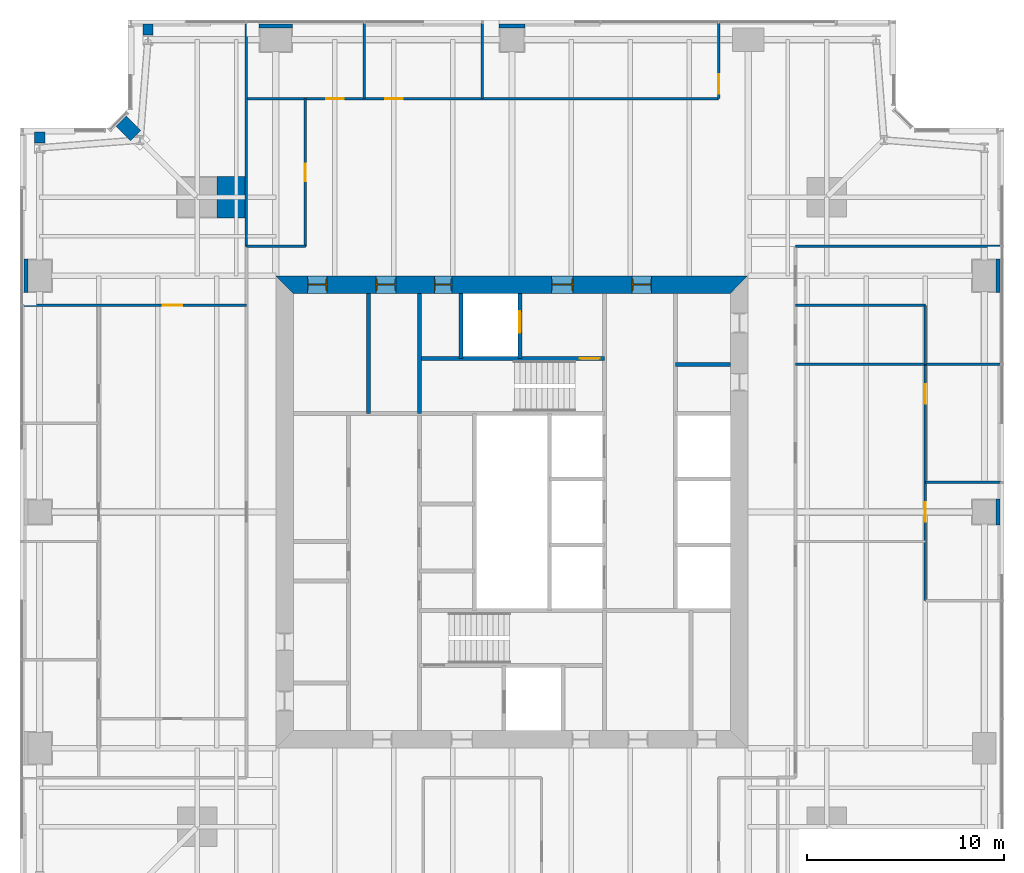
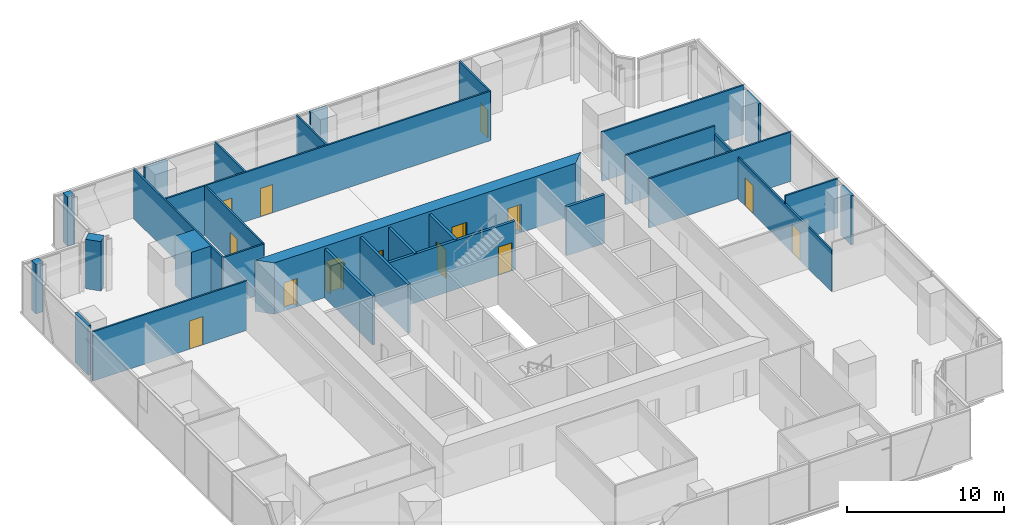
# One storey, part 11 of 16: 30 walls, 14 doors, 14 openings.
"""IFC4 building model written with IfcOpenShell, lengths in metres."""

from ifc_helpers import new_model, si_unit, direction, frame, frame_2d, origin, place, context, subcontext, project, spatial, polyline, rectangle, outline, extrude, material, layer, layer_set, type_object, element, fill, save


model = new_model("IFC4")

# Units and contexts
model_context = context("Model", 3, precision=1e-05, world=origin(), true_north=direction((0.0, 1.0)))
body_context = subcontext(model_context, "Body", "Model", "MODEL_VIEW")
ifc_project = project(units=[si_unit("LENGTHUNIT", "METRE"), si_unit("AREAUNIT", "SQUARE_METRE"), si_unit("VOLUMEUNIT", "CUBIC_METRE"), si_unit("PLANEANGLEUNIT", "RADIAN"), si_unit("MASSUNIT", "GRAM", prefix="KILO")], contexts=[model_context])

# Site, building, storey
site_placement = place(None, origin())
site = spatial("IfcSite", under=ifc_project, at=site_placement, CompositionType="ELEMENT")
building_placement = place(site_placement, origin())
building = spatial("IfcBuilding", under=site, at=building_placement, Name="Fenwick Lantern Interchange", CompositionType="ELEMENT")
storey_placement = place(building_placement, frame((0.0, 0.0, 181.800048828125)))
storey = spatial("IfcBuildingStorey", under=building, at=storey_placement, Name="L42", CompositionType="ELEMENT", Elevation=181.800048828125)

# Walls
ifc_material_1 = material(Name="Fire-rated gypsum board encasement on steel studs, 2 hour", Category="steel")
ifc_layer_1 = layer(ifc_material_1, 1.300048828125)
ifc_layer_set_1 = layer_set([ifc_layer_1], Name="COLUMN PIER 1300")
wall_type_1 = type_object("IfcWallType", Name="COLUMN PIER 1300", PredefinedType="PARTITIONING", material=ifc_layer_set_1)
for number, where, z_axis, x_axis, name in (
    (1, (49.800048828125, 25.0, 0.0), (0.0, 0.0, 1.0), (-1.0, 0.0, 0.0), "L42/W/PIER/CE3"),
    (2, (25.0, 49.800048828125, 0.0), (0.0, 0.0, 1.0), (0.0, -1.0, 0.0), "L42/W/PIER/CN3"),
):
    element("IfcWall", number, at=place(storey_placement, frame(where, z_axis=z_axis, x_axis=x_axis)), inside=storey, type_object=wall_type_1, Name=name, PredefinedType="PARTITIONING", context=body_context, shape_type="SweptSolid", body=[
        extrude(rectangle(XDim=0.199951171875, YDim=1.300048828125, at=frame_2d((0.10009765625, 0.0))), origin(), (0.0, 0.0, 1.0), 3.849853515625),
    ])
ifc_layer_2 = layer(ifc_material_1, 1.699951171875)
ifc_layer_set_2 = layer_set([ifc_layer_2], Name="COLUMN PIER 1700")
wall_type_2 = type_object("IfcWallType", Name="COLUMN PIER 1700", PredefinedType="PARTITIONING", material=ifc_layer_set_2)
for number, where, z_axis, x_axis, name in (
    (3, (49.800048828125, 37.0, 0.0), (0.0, 0.0, 1.0), (-1.0, 0.0, 0.0), "L42/W/PIER/CE4"),
    (4, (13.0, 49.800048828125, 0.0), (0.0, 0.0, 1.0), (0.0, -1.0, 0.0), "L42/W/PIER/CN4"),
    (5, (0.199951171875, 37.0, 0.0), (0.0, 0.0, 1.0), (1.0, 0.0, 0.0), "L42/W/PIER/CW2"),
):
    element("IfcWall", number, at=place(storey_placement, frame(where, z_axis=z_axis, x_axis=x_axis)), inside=storey, type_object=wall_type_2, Name=name, PredefinedType="PARTITIONING", context=body_context, shape_type="SweptSolid", body=[
        extrude(rectangle(XDim=0.199951171875, YDim=1.699951171875, at=frame_2d((0.10009765625, 0.0))), origin(), (0.0, 0.0, 1.0), 3.849853515625),
    ])
ifc_layer_3 = layer(ifc_material_1, 2.10009765625)
ifc_layer_set_3 = layer_set([ifc_layer_3], Name="COLUMN PIER 2100")
wall_type_3 = type_object("IfcWallType", Name="COLUMN PIER 2100", PredefinedType="PARTITIONING", material=ifc_layer_set_3)
wall_1_placement = place(storey_placement, frame((11.4375, 41.0, 0.0), z_axis=(0.0, 0.0, 1.0), x_axis=(-1.0, 0.0, 0.0)))
element("IfcWall", 6, at=wall_1_placement, inside=storey, type_object=wall_type_3, Name="L42/W/PIER/M4", PredefinedType="PARTITIONING", context=body_context, shape_type="SweptSolid", body=[
    extrude(rectangle(XDim=1.4375, YDim=2.10009765625, at=frame_2d((0.71875, 0.0))), origin(), (0.0, 0.0, 1.0), 3.849853515625),
])
ifc_layer_4 = layer(ifc_material_1, 0.52392578125)
ifc_layer_set_4 = layer_set([ifc_layer_4], Name="COLUMN PIER 524")
wall_type_4 = type_object("IfcWallType", Name="COLUMN PIER 524", PredefinedType="PARTITIONING", material=ifc_layer_set_4)
for number, where, z_axis, x_axis, name in (
    (7, (6.5, 49.800048828125, 0.0), (0.0, 0.0, 1.0), (0.0, -1.0, 0.0), "L42/W/PIER/CN5"),
    (8, (1.0, 44.300048828125, 0.0), (0.0, 0.0, 1.0), (0.0, -1.0, 0.0), "L42/W/PIER/CW1"),
):
    element("IfcWall", number, at=place(storey_placement, frame(where, z_axis=z_axis, x_axis=x_axis)), inside=storey, type_object=wall_type_4, Name=name, PredefinedType="PARTITIONING", context=body_context, shape_type="SweptSolid", body=[
        extrude(rectangle(XDim=0.5625, YDim=0.52392578125, at=frame_2d((0.28125, 0.0))), origin(), (0.0, 0.0, 1.0), 3.849853515625),
    ])
ifc_layer_5 = layer(ifc_material_1, 0.736083984375)
ifc_layer_set_5 = layer_set([ifc_layer_5], Name="COLUMN PIER 736")
wall_type_5 = type_object("IfcWallType", Name="COLUMN PIER 736", PredefinedType="PARTITIONING", material=ifc_layer_set_5)
wall_2_placement = place(storey_placement, frame((5.141357421875, 44.858642578125, 0.0), z_axis=(0.0, 0.0, 1.0), x_axis=(0.707106781187, -0.707106781187, 0.0)))
element("IfcWall", 9, at=wall_2_placement, inside=storey, type_object=wall_type_5, Name="L42/W/PIER/CNR", PredefinedType="PARTITIONING", context=body_context, shape_type="SweptSolid", body=[
    extrude(rectangle(XDim=1.037841796875, YDim=0.736083984375, at=frame_2d((0.51904296875, 0.0))), origin(), (0.0, 0.0, 1.0), 3.849853515625),
])

# Wall, opening, door
ifc_material_2 = material(Name="Concrete masonry ASTM C90 Grade N", Category="masonry")
ifc_layer_6 = layer(ifc_material_2, 0.199951171875)
ifc_layer_set_6 = layer_set([ifc_layer_6], Name="Concrete masonry ASTM C90 Grade N")
wall_type_6 = type_object("IfcWallType", Name="CORE PARTITION 200", PredefinedType="PARTITIONING", material=ifc_layer_set_6)
wall_3_placement = place(storey_placement, frame((25.39990234375, 36.10009765625, 0.0), z_axis=(0.0, 0.0, 1.0), x_axis=(0.0, -1.0, 0.0)))
wall_3 = element("IfcWall", 10, at=wall_3_placement, inside=storey, type_object=wall_type_6, Name="L42/W/COREN/h1", PredefinedType="PARTITIONING", context=body_context, shape_type="SweptSolid", body=[
    extrude(rectangle(XDim=3.300048828125, YDim=0.199951171875, at=frame_2d((1.64990234375, 0.0))), origin(), (0.0, 0.0, 1.0), 3.800048828125),
])
opening_1_placement = place(wall_3_placement, frame((0.89990234375, 0.0, 0.0)))
opening_1 = element("IfcOpeningElement", 11, at=opening_1_placement, cuts=wall_3, Name="Opening LD-FL2", PredefinedType="OPENING", context=body_context, shape_type="SweptSolid", body=[
    extrude(rectangle(XDim=1.10009765625, YDim=2.199951171875, at=frame_2d((0.550048828125, 1.10009765625))), frame((0.0, 0.10986328125, 0.0), z_axis=(0.0, -1.0, 0.0), x_axis=(1.0, 0.0, 0.0)), (0.0, 0.0, 1.0), 0.219970703125),
])
ifc_material_3 = material(Name="Steel door and frame", Category="steel")
door_type_1 = type_object("IfcDoorType", Name="LIFT LANDING DOOR 1100 X 2200", OperationType="DOUBLE_DOOR_SLIDING", PredefinedType="DOOR", material=ifc_material_3)
door_1_placement = place(opening_1_placement, origin())
door_1 = element("IfcDoor", 12, at=door_1_placement, inside=storey, type_object=door_type_1, Name="Lift landing door FL2", OperationType="DOUBLE_DOOR_SLIDING", OverallHeight=2.199951171875, OverallWidth=1.10009765625, PredefinedType="DOOR", context=body_context, shape_type="SweptSolid", body=[
    extrude(rectangle(XDim=1.10009765625, YDim=2.199951171875, at=frame_2d((0.550048828125, 1.10009765625))), frame((0.0, 0.02490234375, 0.0), z_axis=(0.0, -1.0, 0.0), x_axis=(1.0, 0.0, 0.0)), (0.0, 0.0, 1.0), 0.050048828125),
])
fill(opening_1, door_1)

# Walls
wall_4_placement = place(storey_placement, frame((22.39990234375, 36.10009765625, 0.0), z_axis=(0.0, 0.0, 1.0), x_axis=(0.0, -1.0, 0.0)))
element("IfcWall", 13, at=wall_4_placement, inside=storey, type_object=wall_type_6, Name="L42/W/COREN/h2", PredefinedType="PARTITIONING", context=body_context, shape_type="SweptSolid", body=[
    extrude(rectangle(XDim=3.300048828125, YDim=0.199951171875, at=frame_2d((1.64990234375, 0.0))), origin(), (0.0, 0.0, 1.0), 3.800048828125),
])
wall_5_placement = place(storey_placement, frame((17.699951171875, 36.10009765625, 0.0), z_axis=(0.0, 0.0, 1.0), x_axis=(0.0, -1.0, 0.0)))
element("IfcWall", 14, at=wall_5_placement, inside=storey, type_object=wall_type_6, Name="L42/W/COREN/i2", PredefinedType="PARTITIONING", context=body_context, shape_type="SweptSolid", body=[
    extrude(rectangle(XDim=6.10009765625, YDim=0.199951171875, at=frame_2d((3.050048828125, 0.0))), origin(), (0.0, 0.0, 1.0), 3.800048828125),
])
wall_6_placement = place(storey_placement, frame((36.10009765625, 32.5, 0.0), z_axis=(0.0, 0.0, 1.0), x_axis=(-1.0, 0.0, 0.0)))
element("IfcWall", 15, at=wall_6_placement, inside=storey, type_object=wall_type_6, Name="L42/W/COREN/p1", PredefinedType="PARTITIONING", context=body_context, shape_type="SweptSolid", body=[
    extrude(rectangle(XDim=2.800048828125, YDim=0.199951171875, at=frame_2d((1.39990234375, 0.0))), origin(), (0.0, 0.0, 1.0), 3.800048828125),
])

# Wall, openings, doors
ifc_material_4 = material(Name="Concrete f'c 70 MPa", Category="concrete")
ifc_layer_7 = layer(ifc_material_4, 0.89990234375)
ifc_layer_set_7 = layer_set([ifc_layer_7], Name="CORE WALL 900")
wall_type_7 = type_object("IfcWallType", Name="CORE WALL 900", PredefinedType="SHEAR", material=ifc_layer_set_7)
wall_7_placement = place(storey_placement, frame((37.0, 36.550048828125, 0.0), z_axis=(0.0, 0.0, 1.0), x_axis=(-1.0, 0.0, 0.0)))
wall_7 = element("IfcWall", 16, at=wall_7_placement, inside=storey, type_object=wall_type_7, Name="L42/CORE/N", PredefinedType="SHEAR", context=body_context, shape_type="SweptSolid", body=[
    extrude(outline(polyline([(0.0, -0.449951171875), (24.0, -0.449951171875), (23.10009765625, 0.449951171875), (0.89990234375, 0.449951171875), (0.0, -0.449951171875)])), origin(), (0.0, 0.0, 1.0), 4.0),
])
opening_2_placement = place(wall_7_placement, frame((4.89990234375, 0.0, 0.0)))
opening_2 = element("IfcOpeningElement", 17, at=opening_2_placement, cuts=wall_7, Name="Opening L42-D014", PredefinedType="OPENING", context=body_context, shape_type="SweptSolid", body=[
    extrude(rectangle(XDim=1.0, YDim=2.199951171875, at=frame_2d((0.5, 1.10009765625))), frame((0.0, 0.4599609375, 0.0), z_axis=(0.0, -1.0, 0.0), x_axis=(1.0, 0.0, 0.0)), (0.0, 0.0, 1.0), 0.919921875),
])
opening_3_placement = place(wall_7_placement, frame((8.89990234375, 0.0, 0.0)))
opening_3 = element("IfcOpeningElement", 18, at=opening_3_placement, cuts=wall_7, Name="Opening L42-D015", PredefinedType="OPENING", context=body_context, shape_type="SweptSolid", body=[
    extrude(rectangle(XDim=1.10009765625, YDim=2.199951171875, at=frame_2d((0.550048828125, 1.10009765625))), frame((0.0, 0.4599609375, 0.0), z_axis=(0.0, -1.0, 0.0), x_axis=(1.0, 0.0, 0.0)), (0.0, 0.0, 1.0), 0.919921875),
])
opening_4_placement = place(wall_7_placement, frame((15.050048828125, 0.0, 0.0)))
opening_4 = element("IfcOpeningElement", 19, at=opening_4_placement, cuts=wall_7, Name="Opening L42-D017", PredefinedType="OPENING", context=body_context, shape_type="SweptSolid", body=[
    extrude(rectangle(XDim=0.89990234375, YDim=2.199951171875, at=frame_2d((0.449951171875, 1.10009765625))), frame((0.0, 0.4599609375, 0.0), z_axis=(0.0, -1.0, 0.0), x_axis=(1.0, 0.0, 0.0)), (0.0, 0.0, 1.0), 0.919921875),
])
opening_5_placement = place(wall_7_placement, frame((17.89990234375, 0.0, 0.0)))
opening_5 = element("IfcOpeningElement", 20, at=opening_5_placement, cuts=wall_7, Name="Opening L42-D018", PredefinedType="OPENING", context=body_context, shape_type="SweptSolid", body=[
    extrude(rectangle(XDim=1.0, YDim=2.199951171875, at=frame_2d((0.5, 1.10009765625))), frame((0.0, 0.4599609375, 0.0), z_axis=(0.0, -1.0, 0.0), x_axis=(1.0, 0.0, 0.0)), (0.0, 0.0, 1.0), 0.919921875),
])
opening_6_placement = place(wall_7_placement, frame((21.39990234375, 0.0, 0.0)))
opening_6 = element("IfcOpeningElement", 21, at=opening_6_placement, cuts=wall_7, Name="Opening L42-D019", PredefinedType="OPENING", context=body_context, shape_type="SweptSolid", body=[
    extrude(rectangle(XDim=1.0, YDim=2.199951171875, at=frame_2d((0.5, 1.10009765625))), frame((0.0, 0.4599609375, 0.0), z_axis=(0.0, -1.0, 0.0), x_axis=(1.0, 0.0, 0.0)), (0.0, 0.0, 1.0), 0.919921875),
])
door_type_2 = type_object("IfcDoorType", Name="CORE LOBBY DOOR 1000 X 2200", OperationType="SINGLE_SWING_LEFT", PredefinedType="DOOR", material=ifc_material_3)
door_2_placement = place(opening_2_placement, origin())
door_2 = element("IfcDoor", 22, at=door_2_placement, inside=storey, type_object=door_type_2, Name="Core lobby door", OperationType="SINGLE_SWING_LEFT", OverallHeight=2.199951171875, OverallWidth=1.0, PredefinedType="DOOR", context=body_context, shape_type="SweptSolid", body=[
    extrude(rectangle(XDim=1.0, YDim=2.199951171875, at=frame_2d((0.5, 1.10009765625))), frame((0.0, 0.02490234375, 0.0), z_axis=(0.0, -1.0, 0.0), x_axis=(1.0, 0.0, 0.0)), (0.0, 0.0, 1.0), 0.050048828125),
    extrude(outline(polyline([(0.0, 0.0), (0.0400390625, 0.0), (0.0400390625, 2.159912109375), (0.9599609375, 2.159912109375), (0.9599609375, 0.0), (1.0, 0.0), (1.0, 2.199951171875), (0.0, 2.199951171875), (0.0, 0.0)])), frame((0.0, 0.300048828125, 0.0), z_axis=(0.0, -1.0, 0.0), x_axis=(1.0, 0.0, 0.0)), (0.0, 0.0, 1.0), 0.60009765625),
])
fill(opening_2, door_2)
door_type_3 = type_object("IfcDoorType", Name="FIRE LOBBY DOOR 1100 X 2200", OperationType="SINGLE_SWING_LEFT", PredefinedType="DOOR", material=ifc_material_3)
door_3_placement = place(opening_3_placement, origin())
door_3 = element("IfcDoor", 23, at=door_3_placement, inside=storey, type_object=door_type_3, Name="Fire lobby door", OperationType="SINGLE_SWING_LEFT", OverallHeight=2.199951171875, OverallWidth=1.10009765625, PredefinedType="DOOR", context=body_context, shape_type="SweptSolid", body=[
    extrude(rectangle(XDim=1.10009765625, YDim=2.199951171875, at=frame_2d((0.550048828125, 1.10009765625))), frame((0.0, 0.02490234375, 0.0), z_axis=(0.0, -1.0, 0.0), x_axis=(1.0, 0.0, 0.0)), (0.0, 0.0, 1.0), 0.050048828125),
    extrude(outline(polyline([(0.0, 0.0), (0.0400390625, 0.0), (0.0400390625, 2.159912109375), (1.06005859375, 2.159912109375), (1.06005859375, 0.0), (1.10009765625, 0.0), (1.10009765625, 2.199951171875), (0.0, 2.199951171875), (0.0, 0.0)])), frame((0.0, 0.300048828125, 0.0), z_axis=(0.0, -1.0, 0.0), x_axis=(1.0, 0.0, 0.0)), (0.0, 0.0, 1.0), 0.60009765625),
])
fill(opening_3, door_3)
door_type_4 = type_object("IfcDoorType", Name="SERVICE DOOR 900 X 2200", OperationType="SINGLE_SWING_LEFT", PredefinedType="DOOR", material=ifc_material_3)
door_4_placement = place(opening_4_placement, origin())
door_4 = element("IfcDoor", 24, at=door_4_placement, inside=storey, type_object=door_type_4, Name="Service door", OperationType="SINGLE_SWING_LEFT", OverallHeight=2.199951171875, OverallWidth=0.89990234375, PredefinedType="DOOR", context=body_context, shape_type="SweptSolid", body=[
    extrude(rectangle(XDim=0.89990234375, YDim=2.199951171875, at=frame_2d((0.449951171875, 1.10009765625))), frame((0.0, 0.02490234375, 0.0), z_axis=(0.0, -1.0, 0.0), x_axis=(1.0, 0.0, 0.0)), (0.0, 0.0, 1.0), 0.050048828125),
    extrude(outline(polyline([(0.0, 0.0), (0.0400390625, 0.0), (0.0400390625, 2.159912109375), (0.85986328125, 2.159912109375), (0.85986328125, 0.0), (0.89990234375, 0.0), (0.89990234375, 2.199951171875), (0.0, 2.199951171875), (0.0, 0.0)])), frame((0.0, 0.300048828125, 0.0), z_axis=(0.0, -1.0, 0.0), x_axis=(1.0, 0.0, 0.0)), (0.0, 0.0, 1.0), 0.60009765625),
])
fill(opening_4, door_4)
ifc_material_5 = material(Name="Hardwood door and steel frame", Category="steel")
door_type_5 = type_object("IfcDoorType", Name="WC DOOR 1000 X 2200", OperationType="SINGLE_SWING_LEFT", PredefinedType="DOOR", material=ifc_material_5)
door_5_placement = place(opening_5_placement, origin())
door_5 = element("IfcDoor", 25, at=door_5_placement, inside=storey, type_object=door_type_5, Name="Wc door", OperationType="SINGLE_SWING_RIGHT", OverallHeight=2.199951171875, OverallWidth=1.0, PredefinedType="DOOR", context=body_context, shape_type="SweptSolid", body=[
    extrude(rectangle(XDim=1.0, YDim=2.199951171875, at=frame_2d((0.5, 1.10009765625))), frame((0.0, 0.02490234375, 0.0), z_axis=(0.0, -1.0, 0.0), x_axis=(1.0, 0.0, 0.0)), (0.0, 0.0, 1.0), 0.050048828125),
    extrude(outline(polyline([(0.0, 0.0), (0.0400390625, 0.0), (0.0400390625, 2.159912109375), (0.9599609375, 2.159912109375), (0.9599609375, 0.0), (1.0, 0.0), (1.0, 2.199951171875), (0.0, 2.199951171875), (0.0, 0.0)])), frame((0.0, 0.300048828125, 0.0), z_axis=(0.0, -1.0, 0.0), x_axis=(1.0, 0.0, 0.0)), (0.0, 0.0, 1.0), 0.60009765625),
])
fill(opening_5, door_5)
door_6_placement = place(opening_6_placement, origin())
door_6 = element("IfcDoor", 26, at=door_6_placement, inside=storey, type_object=door_type_5, Name="Wc door", OperationType="SINGLE_SWING_RIGHT", OverallHeight=2.199951171875, OverallWidth=1.0, PredefinedType="DOOR", context=body_context, shape_type="SweptSolid", body=[
    extrude(rectangle(XDim=1.0, YDim=2.199951171875, at=frame_2d((0.5, 1.10009765625))), frame((0.0, 0.02490234375, 0.0), z_axis=(0.0, -1.0, 0.0), x_axis=(1.0, 0.0, 0.0)), (0.0, 0.0, 1.0), 0.050048828125),
    extrude(outline(polyline([(0.0, 0.0), (0.0400390625, 0.0), (0.0400390625, 2.159912109375), (0.9599609375, 2.159912109375), (0.9599609375, 0.0), (1.0, 0.0), (1.0, 2.199951171875), (0.0, 2.199951171875), (0.0, 0.0)])), frame((0.0, 0.300048828125, 0.0), z_axis=(0.0, -1.0, 0.0), x_axis=(1.0, 0.0, 0.0)), (0.0, 0.0, 1.0), 0.60009765625),
])
fill(opening_6, door_6)

# Walls
ifc_material_6 = material(Name="Gypsum board on steel studs, acoustic", Category="steel")
ifc_layer_8 = layer(ifc_material_6, 0.125)
ifc_layer_set_8 = layer_set([ifc_layer_8], Name="OFFICE PARTITION 125")
wall_type_8 = type_object("IfcWallType", Name="OFFICE PARTITION 125", PredefinedType="PARTITIONING", material=ifc_layer_set_8)
wall_8_placement = place(storey_placement, frame((49.85009765625, 26.5, 0.0), z_axis=(0.0, 0.0, 1.0), x_axis=(-1.0, 0.0, 0.0)))
element("IfcWall", 27, at=wall_8_placement, inside=storey, type_object=wall_type_8, Name="L42/W/OFF/E/X265-1", PredefinedType="PARTITIONING", context=body_context, shape_type="SweptSolid", body=[
    extrude(rectangle(XDim=3.85009765625, YDim=0.125, at=frame_2d((1.925048828125, 0.0))), origin(), (0.0, 0.0, 1.0), 3.849853515625),
])
wall_9_placement = place(storey_placement, frame((49.85009765625, 32.5, 0.0), z_axis=(0.0, 0.0, 1.0), x_axis=(-1.0, 0.0, 0.0)))
element("IfcWall", 28, at=wall_9_placement, inside=storey, type_object=wall_type_8, Name="L42/W/OFF/E/X325-1", PredefinedType="PARTITIONING", context=body_context, shape_type="SweptSolid", body=[
    extrude(rectangle(XDim=10.4501953125, YDim=0.125, at=frame_2d((5.22509765625, 0.0))), origin(), (0.0, 0.0, 1.0), 3.849853515625),
])
wall_10_placement = place(storey_placement, frame((46.0, 35.5, 0.0), z_axis=(0.0, 0.0, 1.0), x_axis=(-1.0, 0.0, 0.0)))
element("IfcWall", 29, at=wall_10_placement, inside=storey, type_object=wall_type_8, Name="L42/W/OFF/E/X355-1", PredefinedType="PARTITIONING", context=body_context, shape_type="SweptSolid", body=[
    extrude(rectangle(XDim=6.60009765625, YDim=0.125, at=frame_2d((3.300048828125, 0.0))), origin(), (0.0, 0.0, 1.0), 3.849853515625),
])

# Wall, openings, doors
wall_11_placement = place(storey_placement, frame((46.0, 20.5, 0.0), z_axis=(0.0, 0.0, 1.0), x_axis=(0.0, 1.0, 0.0)))
wall_11 = element("IfcWall", 30, at=wall_11_placement, inside=storey, type_object=wall_type_8, Name="L42/W/OFF/E/Y40-1", PredefinedType="PARTITIONING", context=body_context, shape_type="SweptSolid", body=[
    extrude(rectangle(XDim=12.0, YDim=0.125, at=frame_2d((6.0, 0.0))), origin(), (0.0, 0.0, 1.0), 3.23779296875),
])
opening_7_placement = place(wall_11_placement, frame((4.0, 0.0, 0.0)))
opening_7 = element("IfcOpeningElement", 31, at=opening_7_placement, cuts=wall_11, Name="Opening L42-D026", PredefinedType="OPENING", context=body_context, shape_type="SweptSolid", body=[
    extrude(rectangle(XDim=1.0, YDim=2.199951171875, at=frame_2d((0.5, 1.10009765625))), frame((0.0, 0.072509765625, 0.0), z_axis=(0.0, -1.0, 0.0), x_axis=(1.0, 0.0, 0.0)), (0.0, 0.0, 1.0), 0.14501953125),
])
opening_8_placement = place(wall_11_placement, frame((10.0, 0.0, 0.0)))
opening_8 = element("IfcOpeningElement", 32, at=opening_8_placement, cuts=wall_11, Name="Opening L42-D027", PredefinedType="OPENING", context=body_context, shape_type="SweptSolid", body=[
    extrude(rectangle(XDim=1.0, YDim=2.199951171875, at=frame_2d((0.5, 1.10009765625))), frame((0.0, 0.072509765625, 0.0), z_axis=(0.0, -1.0, 0.0), x_axis=(1.0, 0.0, 0.0)), (0.0, 0.0, 1.0), 0.14501953125),
])
door_type_6 = type_object("IfcDoorType", Name="MEETING ROOM DOOR 1000 X 2200", OperationType="SINGLE_SWING_LEFT", PredefinedType="DOOR", material=ifc_material_5)
door_7_placement = place(opening_7_placement, frame((1.0, 0.0, 0.0), z_axis=(0.0, 0.0, 1.0), x_axis=(-1.0, 0.0, 0.0)))
door_7 = element("IfcDoor", 33, at=door_7_placement, inside=storey, type_object=door_type_6, Name="Meeting room door", OperationType="SINGLE_SWING_LEFT", OverallHeight=2.199951171875, OverallWidth=1.0, PredefinedType="DOOR", context=body_context, shape_type="SweptSolid", body=[
    extrude(rectangle(XDim=1.0, YDim=2.199951171875, at=frame_2d((0.5, 1.10009765625))), frame((0.0, 0.02490234375, 0.0), z_axis=(0.0, -1.0, 0.0), x_axis=(1.0, 0.0, 0.0)), (0.0, 0.0, 1.0), 0.050048828125),
])
fill(opening_7, door_7)
door_8_placement = place(opening_8_placement, frame((1.0, 0.0, 0.0), z_axis=(0.0, 0.0, 1.0), x_axis=(-1.0, 0.0, 0.0)))
door_8 = element("IfcDoor", 34, at=door_8_placement, inside=storey, type_object=door_type_6, Name="Meeting room door", OperationType="SINGLE_SWING_LEFT", OverallHeight=2.199951171875, OverallWidth=1.0, PredefinedType="DOOR", context=body_context, shape_type="SweptSolid", body=[
    extrude(rectangle(XDim=1.0, YDim=2.199951171875, at=frame_2d((0.5, 1.10009765625))), frame((0.0, 0.02490234375, 0.0), z_axis=(0.0, -1.0, 0.0), x_axis=(1.0, 0.0, 0.0)), (0.0, 0.0, 1.0), 0.050048828125),
])
fill(opening_8, door_8)

# Walls
wall_12_placement = place(storey_placement, frame((46.0, 32.5, 0.0), z_axis=(0.0, 0.0, 1.0), x_axis=(0.0, 1.0, 0.0)))
element("IfcWall", 35, at=wall_12_placement, inside=storey, type_object=wall_type_8, Name="L42/W/OFF/E/Y40-2", PredefinedType="PARTITIONING", context=body_context, shape_type="SweptSolid", body=[
    extrude(rectangle(XDim=3.0, YDim=0.125, at=frame_2d((1.5, 0.0))), origin(), (0.0, 0.0, 1.0), 3.23779296875),
])
wall_13_placement = place(storey_placement, frame((49.85009765625, 38.5, 0.0), z_axis=(0.0, 0.0, 1.0), x_axis=(-1.0, 0.0, 0.0)))
element("IfcWall", 36, at=wall_13_placement, inside=storey, type_object=wall_type_8, Name="L42/W/OFF/N/BACK", PredefinedType="PARTITIONING", context=body_context, shape_type="SweptSolid", body=[
    extrude(rectangle(XDim=10.4501953125, YDim=0.125, at=frame_2d((5.22509765625, 0.0))), origin(), (0.0, 0.0, 1.0), 3.849853515625),
])

# Wall, opening, door
wall_14_placement = place(storey_placement, frame((35.5, 49.85009765625, 0.0), z_axis=(0.0, 0.0, 1.0), x_axis=(0.0, -1.0, 0.0)))
wall_14 = element("IfcWall", 37, at=wall_14_placement, inside=storey, type_object=wall_type_8, Name="L42/W/OFF/N/X145-1", PredefinedType="PARTITIONING", context=body_context, shape_type="SweptSolid", body=[
    extrude(rectangle(XDim=3.85009765625, YDim=0.125, at=frame_2d((1.925048828125, 0.0))), origin(), (0.0, 0.0, 1.0), 3.849853515625),
])
opening_9_placement = place(wall_14_placement, frame((2.60009765625, 0.0, 0.0)))
opening_9 = element("IfcOpeningElement", 38, at=opening_9_placement, cuts=wall_14, Name="Opening L42-D032", PredefinedType="OPENING", context=body_context, shape_type="SweptSolid", body=[
    extrude(rectangle(XDim=1.0, YDim=2.199951171875, at=frame_2d((0.5, 1.10009765625))), frame((0.0, 0.072509765625, 0.0), z_axis=(0.0, -1.0, 0.0), x_axis=(1.0, 0.0, 0.0)), (0.0, 0.0, 1.0), 0.14501953125),
])
door_9_placement = place(opening_9_placement, frame((1.0, 0.0, 0.0), z_axis=(0.0, 0.0, 1.0), x_axis=(-1.0, 0.0, 0.0)))
door_9 = element("IfcDoor", 39, at=door_9_placement, inside=storey, type_object=door_type_6, Name="Meeting room door", OperationType="SINGLE_SWING_LEFT", OverallHeight=2.199951171875, OverallWidth=1.0, PredefinedType="DOOR", context=body_context, shape_type="SweptSolid", body=[
    extrude(rectangle(XDim=1.0, YDim=2.199951171875, at=frame_2d((0.5, 1.10009765625))), frame((0.0, 0.02490234375, 0.0), z_axis=(0.0, -1.0, 0.0), x_axis=(1.0, 0.0, 0.0)), (0.0, 0.0, 1.0), 0.050048828125),
])
fill(opening_9, door_9)

# Walls
for number, where, z_axis, x_axis, name in (
    (40, (23.5, 49.85009765625, 0.0), (0.0, 0.0, 1.0), (0.0, -1.0, 0.0), "L42/W/OFF/N/X265-1"),
    (41, (17.5, 49.85009765625, 0.0), (0.0, 0.0, 1.0), (0.0, -1.0, 0.0), "L42/W/OFF/N/X325-1"),
):
    element("IfcWall", number, at=place(storey_placement, frame(where, z_axis=z_axis, x_axis=x_axis)), inside=storey, type_object=wall_type_8, Name=name, PredefinedType="PARTITIONING", context=body_context, shape_type="SweptSolid", body=[
        extrude(rectangle(XDim=3.85009765625, YDim=0.125, at=frame_2d((1.925048828125, 0.0))), origin(), (0.0, 0.0, 1.0), 3.849853515625),
    ])

# Wall, opening, door
wall_15_placement = place(storey_placement, frame((14.5, 46.0, 0.0), z_axis=(0.0, 0.0, 1.0), x_axis=(0.0, -1.0, 0.0)))
wall_15 = element("IfcWall", 42, at=wall_15_placement, inside=storey, type_object=wall_type_8, Name="L42/W/OFF/N/X355-1", PredefinedType="PARTITIONING", context=body_context, shape_type="SweptSolid", body=[
    extrude(rectangle(XDim=7.5, YDim=0.125, at=frame_2d((3.75, 0.0))), origin(), (0.0, 0.0, 1.0), 3.849853515625),
])
opening_10_placement = place(wall_15_placement, frame((3.300048828125, 0.0, 0.0)))
opening_10 = element("IfcOpeningElement", 43, at=opening_10_placement, cuts=wall_15, Name="Opening L42-D035", PredefinedType="OPENING", context=body_context, shape_type="SweptSolid", body=[
    extrude(rectangle(XDim=0.89990234375, YDim=2.199951171875, at=frame_2d((0.449951171875, 1.10009765625))), frame((0.0, 0.072509765625, 0.0), z_axis=(0.0, -1.0, 0.0), x_axis=(1.0, 0.0, 0.0)), (0.0, 0.0, 1.0), 0.14501953125),
])
door_type_7 = type_object("IfcDoorType", Name="OFFICE DOOR 900 X 2200", OperationType="SINGLE_SWING_LEFT", PredefinedType="DOOR", material=ifc_material_5)
door_10_placement = place(opening_10_placement, frame((0.89990234375, 0.0, 0.0), z_axis=(0.0, 0.0, 1.0), x_axis=(-1.0, 0.0, 0.0)))
door_10 = element("IfcDoor", 44, at=door_10_placement, inside=storey, type_object=door_type_7, Name="Office door", OperationType="SINGLE_SWING_RIGHT", OverallHeight=2.199951171875, OverallWidth=0.89990234375, PredefinedType="DOOR", context=body_context, shape_type="SweptSolid", body=[
    extrude(rectangle(XDim=0.89990234375, YDim=2.199951171875, at=frame_2d((0.449951171875, 1.10009765625))), frame((0.0, 0.02490234375, 0.0), z_axis=(0.0, -1.0, 0.0), x_axis=(1.0, 0.0, 0.0)), (0.0, 0.0, 1.0), 0.050048828125),
])
fill(opening_10, door_10)

# Wall, openings, doors
wall_16_placement = place(storey_placement, frame((35.5, 46.0, 0.0), z_axis=(0.0, 0.0, 1.0), x_axis=(-1.0, 0.0, 0.0)))
wall_16 = element("IfcWall", 45, at=wall_16_placement, inside=storey, type_object=wall_type_8, Name="L42/W/OFF/N/Y40-1", PredefinedType="PARTITIONING", context=body_context, shape_type="SweptSolid", body=[
    extrude(rectangle(XDim=24.0, YDim=0.125, at=frame_2d((12.0, 0.0))), origin(), (0.0, 0.0, 1.0), 3.849853515625),
])
opening_11_placement = place(wall_16_placement, frame((16.050048828125, 0.0, 0.0)))
opening_11 = element("IfcOpeningElement", 46, at=opening_11_placement, cuts=wall_16, Name="Opening L42-D033", PredefinedType="OPENING", context=body_context, shape_type="SweptSolid", body=[
    extrude(rectangle(XDim=0.89990234375, YDim=2.199951171875, at=frame_2d((0.449951171875, 1.10009765625))), frame((0.0, 0.072509765625, 0.0), z_axis=(0.0, -1.0, 0.0), x_axis=(1.0, 0.0, 0.0)), (0.0, 0.0, 1.0), 0.14501953125),
])
opening_12_placement = place(wall_16_placement, frame((19.050048828125, 0.0, 0.0)))
opening_12 = element("IfcOpeningElement", 47, at=opening_12_placement, cuts=wall_16, Name="Opening L42-D034", PredefinedType="OPENING", context=body_context, shape_type="SweptSolid", body=[
    extrude(rectangle(XDim=0.89990234375, YDim=2.199951171875, at=frame_2d((0.449951171875, 1.10009765625))), frame((0.0, 0.072509765625, 0.0), z_axis=(0.0, -1.0, 0.0), x_axis=(1.0, 0.0, 0.0)), (0.0, 0.0, 1.0), 0.14501953125),
])
door_11_placement = place(opening_11_placement, frame((0.89990234375, 0.0, 0.0), z_axis=(0.0, 0.0, 1.0), x_axis=(-1.0, 0.0, 0.0)))
door_11 = element("IfcDoor", 48, at=door_11_placement, inside=storey, type_object=door_type_7, Name="Office door", OperationType="SINGLE_SWING_LEFT", OverallHeight=2.199951171875, OverallWidth=0.89990234375, PredefinedType="DOOR", context=body_context, shape_type="SweptSolid", body=[
    extrude(rectangle(XDim=0.89990234375, YDim=2.199951171875, at=frame_2d((0.449951171875, 1.10009765625))), frame((0.0, 0.02490234375, 0.0), z_axis=(0.0, -1.0, 0.0), x_axis=(1.0, 0.0, 0.0)), (0.0, 0.0, 1.0), 0.050048828125),
])
fill(opening_11, door_11)
door_12_placement = place(opening_12_placement, frame((0.89990234375, 0.0, 0.0), z_axis=(0.0, 0.0, 1.0), x_axis=(-1.0, 0.0, 0.0)))
door_12 = element("IfcDoor", 49, at=door_12_placement, inside=storey, type_object=door_type_7, Name="Office door", OperationType="SINGLE_SWING_RIGHT", OverallHeight=2.199951171875, OverallWidth=0.89990234375, PredefinedType="DOOR", context=body_context, shape_type="SweptSolid", body=[
    extrude(rectangle(XDim=0.89990234375, YDim=2.199951171875, at=frame_2d((0.449951171875, 1.10009765625))), frame((0.0, 0.02490234375, 0.0), z_axis=(0.0, -1.0, 0.0), x_axis=(1.0, 0.0, 0.0)), (0.0, 0.0, 1.0), 0.050048828125),
])
fill(opening_12, door_12)

# Walls
wall_17_placement = place(storey_placement, frame((14.5, 38.5, 0.0), z_axis=(0.0, 0.0, 1.0), x_axis=(-1.0, 0.0, 0.0)))
element("IfcWall", 50, at=wall_17_placement, inside=storey, type_object=wall_type_8, Name="L42/W/OFF/N/CWS1", PredefinedType="PARTITIONING", context=body_context, shape_type="SweptSolid", body=[
    extrude(rectangle(XDim=3.0, YDim=0.125, at=frame_2d((1.5, 0.0))), origin(), (0.0, 0.0, 1.0), 3.849853515625),
])
wall_18_placement = place(storey_placement, frame((11.5, 49.85009765625, 0.0), z_axis=(0.0, 0.0, 1.0), x_axis=(0.0, -1.0, 0.0)))
element("IfcWall", 51, at=wall_18_placement, inside=storey, type_object=wall_type_8, Name="L42/W/OFF/W/BACK", PredefinedType="PARTITIONING", context=body_context, shape_type="SweptSolid", body=[
    extrude(rectangle(XDim=11.35009765625, YDim=0.125, at=frame_2d((5.675048828125, 0.0))), origin(), (0.0, 0.0, 1.0), 3.849853515625),
])

# Wall, opening, door
wall_19_placement = place(storey_placement, frame((0.14990234375, 35.5, 0.0), z_axis=(0.0, 0.0, 1.0), x_axis=(1.0, 0.0, 0.0)))
wall_19 = element("IfcWall", 52, at=wall_19_placement, inside=storey, type_object=wall_type_8, Name="L42/W/OFF/W/X145-1", PredefinedType="PARTITIONING", context=body_context, shape_type="SweptSolid", body=[
    extrude(rectangle(XDim=11.35009765625, YDim=0.125, at=frame_2d((5.675048828125, 0.0))), origin(), (0.0, 0.0, 1.0), 3.849853515625),
])
opening_13_placement = place(wall_19_placement, frame((7.10009765625, 0.0, 0.0)))
opening_13 = element("IfcOpeningElement", 53, at=opening_13_placement, cuts=wall_19, Name="Opening L42-D037", PredefinedType="OPENING", context=body_context, shape_type="SweptSolid", body=[
    extrude(rectangle(XDim=1.0, YDim=2.199951171875, at=frame_2d((0.5, 1.10009765625))), frame((0.0, 0.072509765625, 0.0), z_axis=(0.0, -1.0, 0.0), x_axis=(1.0, 0.0, 0.0)), (0.0, 0.0, 1.0), 0.14501953125),
])
door_13_placement = place(opening_13_placement, origin())
door_13 = element("IfcDoor", 54, at=door_13_placement, inside=storey, type_object=door_type_6, Name="Meeting room door", OperationType="SINGLE_SWING_RIGHT", OverallHeight=2.199951171875, OverallWidth=1.0, PredefinedType="DOOR", context=body_context, shape_type="SweptSolid", body=[
    extrude(rectangle(XDim=1.0, YDim=2.199951171875, at=frame_2d((0.5, 1.10009765625))), frame((0.0, 0.02490234375, 0.0), z_axis=(0.0, -1.0, 0.0), x_axis=(1.0, 0.0, 0.0)), (0.0, 0.0, 1.0), 0.050048828125),
])
fill(opening_13, door_13)

ifc_material_7 = material(Name="Concrete f'c 45 MPa", Category="concrete")
ifc_layer_9 = layer(ifc_material_7, 0.199951171875)
ifc_layer_set_9 = layer_set([ifc_layer_9], Name="STAIR CORE WALL 200")
wall_type_9 = type_object("IfcWallType", Name="STAIR CORE WALL 200", PredefinedType="SOLIDWALL", material=ifc_layer_set_9)
wall_20_placement = place(storey_placement, frame((29.699951171875, 32.800048828125, 0.0), z_axis=(0.0, 0.0, 1.0), x_axis=(-1.0, 0.0, 0.0)))
wall_20 = element("IfcWall", 55, at=wall_20_placement, inside=storey, type_object=wall_type_9, Name="L42/W/COREN/g1", PredefinedType="SOLIDWALL", context=body_context, shape_type="SweptSolid", body=[
    extrude(rectangle(XDim=9.39990234375, YDim=0.199951171875, at=frame_2d((4.699951171875, 0.0))), origin(), (0.0, 0.0, 1.0), 3.800048828125),
])
opening_14_placement = place(wall_20_placement, frame((0.25, 0.0, 0.0)))
opening_14 = element("IfcOpeningElement", 56, at=opening_14_placement, cuts=wall_20, Name="Opening L42-D016", PredefinedType="OPENING", context=body_context, shape_type="SweptSolid", body=[
    extrude(rectangle(XDim=1.0, YDim=2.199951171875, at=frame_2d((0.5, 1.10009765625))), frame((0.0, 0.10986328125, 0.0), z_axis=(0.0, -1.0, 0.0), x_axis=(1.0, 0.0, 0.0)), (0.0, 0.0, 1.0), 0.219970703125),
])
door_type_8 = type_object("IfcDoorType", Name="STAIR DOOR 1000 X 2200", OperationType="SINGLE_SWING_LEFT", PredefinedType="DOOR", material=ifc_material_3)
door_14_placement = place(opening_14_placement, origin())
door_14 = element("IfcDoor", 57, at=door_14_placement, inside=storey, type_object=door_type_8, Name="Stair door", OperationType="SINGLE_SWING_LEFT", OverallHeight=2.199951171875, OverallWidth=1.0, PredefinedType="DOOR", context=body_context, shape_type="SweptSolid", body=[
    extrude(rectangle(XDim=1.0, YDim=2.199951171875, at=frame_2d((0.5, 1.10009765625))), frame((0.0, 0.02490234375, 0.0), z_axis=(0.0, -1.0, 0.0), x_axis=(1.0, 0.0, 0.0)), (0.0, 0.0, 1.0), 0.050048828125),
])
fill(opening_14, door_14)

# Wall
wall_21_placement = place(storey_placement, frame((20.300048828125, 36.10009765625, 0.0), z_axis=(0.0, 0.0, 1.0), x_axis=(0.0, -1.0, 0.0)))
element("IfcWall", 58, at=wall_21_placement, inside=storey, type_object=wall_type_9, Name="L42/W/COREN/i1", PredefinedType="SOLIDWALL", context=body_context, shape_type="SweptSolid", body=[
    extrude(rectangle(XDim=6.10009765625, YDim=0.199951171875, at=frame_2d((3.050048828125, 0.0))), origin(), (0.0, 0.0, 1.0), 3.800048828125),
])

save(model, "model.ifc")
